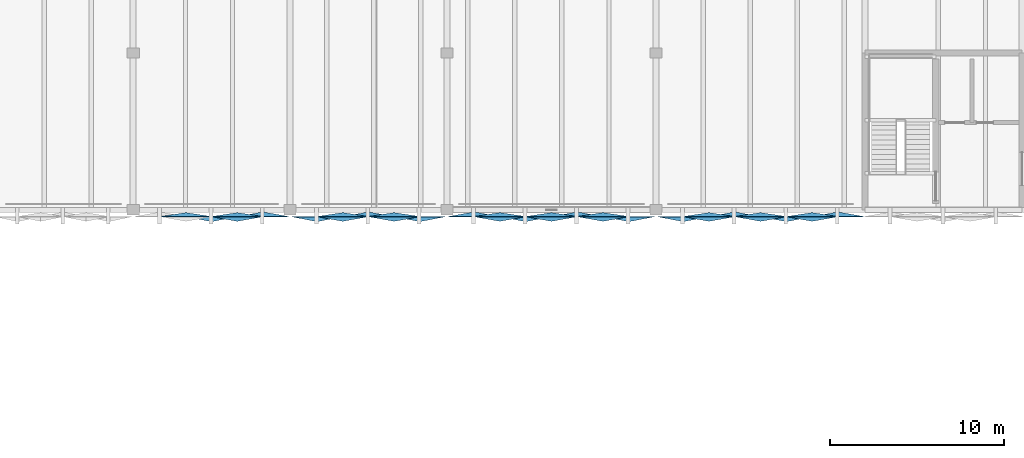
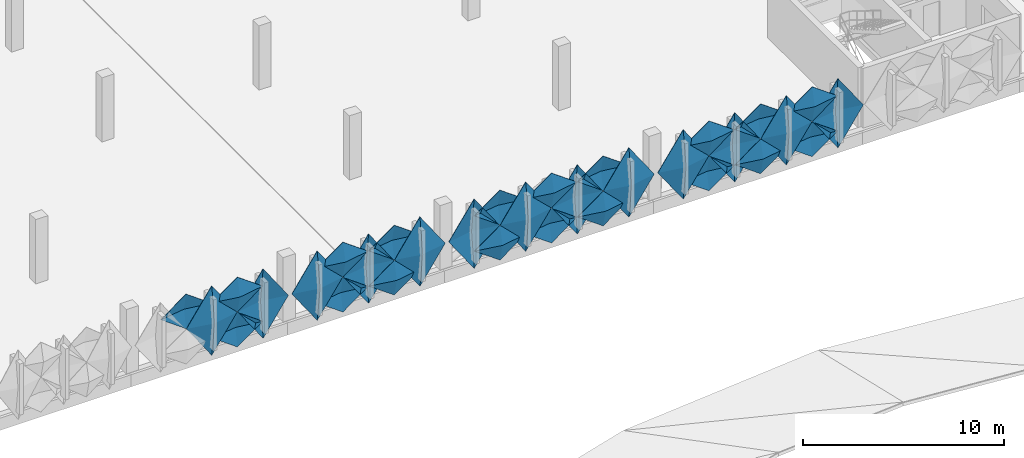
# One storey, part 40 of 52: 32 plates.
"""IFC4 building model written with IfcOpenShell, lengths in metres."""

from ifc_helpers import new_model, si_unit, derived_unit, direction, frame, origin, place, context, subcontext, project, spatial, polygons, material, layer, layer_set, type_object, element, save


model = new_model("IFC4")

# Units and contexts
model_context = context("Model", 3, precision=1e-05, world=origin(), true_north=direction((0.0, 1.0)))
body_context = subcontext(model_context, "Body", "Model", "MODEL_VIEW")
ifc_project = project(units=[si_unit("LENGTHUNIT", "METRE"), si_unit("AREAUNIT", "SQUARE_METRE"), si_unit("VOLUMEUNIT", "CUBIC_METRE"), si_unit("PLANEANGLEUNIT", "RADIAN"), si_unit("MASSUNIT", "GRAM", prefix="KILO"), si_unit("THERMODYNAMICTEMPERATUREUNIT", "KELVIN"), derived_unit("THERMALTRANSMITTANCEUNIT", [(si_unit("POWERUNIT", "WATT"), 1), (si_unit("AREAUNIT", "SQUARE_METRE"), -1), (si_unit("THERMODYNAMICTEMPERATUREUNIT", "KELVIN"), -1)])], contexts=[model_context])

# Site, building, storey
site_placement = place(None, origin())
site = spatial("IfcSite", under=ifc_project, at=site_placement, CompositionType="ELEMENT")
building_placement = place(site_placement, origin())
building = spatial("IfcBuilding", under=site, at=building_placement, Name="Haiyu Intermodal Mobility Hub", CompositionType="ELEMENT")
storey_placement = place(building_placement, frame((0.0, 0.0, 21.199951171875)))
storey = spatial("IfcBuildingStorey", under=building, at=storey_placement, Name="L05", CompositionType="ELEMENT", Elevation=21.199951171875)

# Plates
ifc_material = material(Name="Anodised aluminium 6063-T6", Category="aluminium")
ifc_layer_1 = layer(ifc_material, 0.01806640625)
ifc_layer_set_1 = layer_set([ifc_layer_1], Name="Anodised aluminium 6063-T6")
plate_type_1 = type_object("IfcPlateType", Name="PLT-FC01", PredefinedType="USERDEFINED", material=ifc_layer_set_1)
plate_1_placement = place(storey_placement, origin())
element("IfcPlate", 1, at=plate_1_placement, inside=storey, type_object=plate_type_1, Name="PLT-PYR-0894", ObjectType="FACADE CASSETTE", PredefinedType="USERDEFINED", context=body_context, shape_type="Tessellation", body=[
    polygons([(106.43994140625, 103.60009765625, -0.510009765625), (107.89990234375, 103.60009765625, 1.60009765625), (106.43994140625, 103.60009765625, 3.7099609375), (104.97998046875, 103.60009765625, 1.60009765625), (106.43994140625, 103.320068359375, 1.60009765625), (106.43994140625, 103.6220703125, -0.510009765625), (107.89990234375, 103.6220703125, 1.60009765625), (106.43994140625, 103.6220703125, 3.7099609375), (104.97998046875, 103.6220703125, 1.60009765625), (106.43994140625, 103.342041015625, 1.60009765625)], [[[1, 2, 5]], [[2, 3, 5]], [[3, 4, 5]], [[4, 1, 5]], [[7, 6, 10]], [[8, 7, 10]], [[9, 8, 10]], [[6, 9, 10]], [[1, 6, 7, 2]], [[2, 7, 8, 3]], [[3, 8, 9, 4]], [[4, 9, 6, 1]]], closed=True),
])
ifc_layer_2 = layer(ifc_material, 0.02001953125)
ifc_layer_set_2 = layer_set([ifc_layer_2], Name="Anodised aluminium 6063-T6")
plate_type_2 = type_object("IfcPlateType", Name="PLT-FC02", PredefinedType="USERDEFINED", material=ifc_layer_set_2)
plate_2_placement = place(storey_placement, origin())
element("IfcPlate", 2, at=plate_2_placement, inside=storey, type_object=plate_type_2, Name="PLT-PYR-0944", ObjectType="FACADE CASSETTE", PredefinedType="USERDEFINED", context=body_context, shape_type="Tessellation", body=[
    polygons([(118.43994140625, 103.60009765625, -0.510009765625), (119.89990234375, 103.60009765625, 1.60009765625), (118.43994140625, 103.60009765625, 3.7099609375), (116.97998046875, 103.60009765625, 1.60009765625), (118.43994140625, 103.860107421875, 1.60009765625), (118.43994140625, 103.6220703125, -0.510009765625), (119.89990234375, 103.6220703125, 1.60009765625), (118.43994140625, 103.6220703125, 3.7099609375), (116.97998046875, 103.6220703125, 1.60009765625), (118.43994140625, 103.882080078125, 1.60009765625)], [[[1, 2, 5]], [[2, 3, 5]], [[3, 4, 5]], [[4, 1, 5]], [[7, 6, 10]], [[8, 7, 10]], [[9, 8, 10]], [[6, 9, 10]], [[1, 6, 7, 2]], [[2, 7, 8, 3]], [[3, 8, 9, 4]], [[4, 9, 6, 1]]], closed=True),
])
ifc_layer_3 = layer(ifc_material, 0.01806640625)
ifc_layer_set_3 = layer_set([ifc_layer_3], Name="Anodised aluminium 6063-T6")
plate_type_3 = type_object("IfcPlateType", Name="PLT-FC03", PredefinedType="USERDEFINED", material=ifc_layer_set_3)
plate_3_placement = place(storey_placement, origin())
element("IfcPlate", 3, at=plate_3_placement, inside=storey, type_object=plate_type_3, Name="PLT-PYR-0838", ObjectType="FACADE CASSETTE", PredefinedType="USERDEFINED", context=body_context, shape_type="Tessellation", body=[
    polygons([(88.552978515625, 103.60009765625, -0.510009765625), (90.007080078125, 103.60009765625, 1.60009765625), (88.552978515625, 103.60009765625, 3.7099609375), (87.10009765625, 103.60009765625, 1.60009765625), (88.552978515625, 103.320068359375, 1.60009765625), (88.552978515625, 103.6220703125, -0.510009765625), (90.007080078125, 103.6220703125, 1.60009765625), (88.552978515625, 103.6220703125, 3.7099609375), (87.10009765625, 103.6220703125, 1.60009765625), (88.552978515625, 103.342041015625, 1.60009765625)], [[[1, 2, 5]], [[2, 3, 5]], [[3, 4, 5]], [[4, 1, 5]], [[7, 6, 10]], [[8, 7, 10]], [[9, 8, 10]], [[6, 9, 10]], [[1, 6, 7, 2]], [[2, 7, 8, 3]], [[3, 8, 9, 4]], [[4, 9, 6, 1]]], closed=True),
])
plate_4_placement = place(storey_placement, origin())
element("IfcPlate", 4, at=plate_4_placement, inside=storey, type_object=plate_type_3, Name="PLT-PYR-0842", ObjectType="FACADE CASSETTE", PredefinedType="USERDEFINED", context=body_context, shape_type="Tessellation", body=[
    polygons([(92.972900390625, 103.60009765625, -0.52001953125), (94.427001953125, 103.60009765625, 0.530029296875), (92.972900390625, 103.60009765625, 1.580078125), (91.52001953125, 103.60009765625, 0.530029296875), (92.972900390625, 103.340087890625, 0.530029296875), (92.972900390625, 103.6220703125, -0.52001953125), (94.427001953125, 103.6220703125, 0.530029296875), (92.972900390625, 103.6220703125, 1.580078125), (91.52001953125, 103.6220703125, 0.530029296875), (92.972900390625, 103.362060546875, 0.530029296875)], [[[1, 2, 5]], [[2, 3, 5]], [[3, 4, 5]], [[4, 1, 5]], [[7, 6, 10]], [[8, 7, 10]], [[9, 8, 10]], [[6, 9, 10]], [[1, 6, 7, 2]], [[2, 7, 8, 3]], [[3, 8, 9, 4]], [[4, 9, 6, 1]]], closed=True),
])
plate_5_placement = place(storey_placement, origin())
element("IfcPlate", 5, at=plate_5_placement, inside=storey, type_object=plate_type_3, Name="PLT-PYR-0886", ObjectType="FACADE CASSETTE", PredefinedType="USERDEFINED", context=body_context, shape_type="Tessellation", body=[
    polygons([(99.0400390625, 103.60009765625, -0.52001953125), (100.5, 103.60009765625, 0.530029296875), (99.0400390625, 103.60009765625, 1.580078125), (97.580078125, 103.60009765625, 0.530029296875), (99.0400390625, 103.340087890625, 0.530029296875), (99.0400390625, 103.6220703125, -0.52001953125), (100.5, 103.6220703125, 0.530029296875), (99.0400390625, 103.6220703125, 1.580078125), (97.580078125, 103.6220703125, 0.530029296875), (99.0400390625, 103.362060546875, 0.530029296875)], [[[1, 2, 5]], [[2, 3, 5]], [[3, 4, 5]], [[4, 1, 5]], [[7, 6, 10]], [[8, 7, 10]], [[9, 8, 10]], [[6, 9, 10]], [[1, 6, 7, 2]], [[2, 7, 8, 3]], [[3, 8, 9, 4]], [[4, 9, 6, 1]]], closed=True),
])
plate_6_placement = place(storey_placement, origin())
element("IfcPlate", 6, at=plate_6_placement, inside=storey, type_object=plate_type_3, Name="PLT-PYR-0892", ObjectType="FACADE CASSETTE", PredefinedType="USERDEFINED", context=body_context, shape_type="Tessellation", body=[
    polygons([(104.9599609375, 103.60009765625, -0.52001953125), (106.419921875, 103.60009765625, 0.530029296875), (104.9599609375, 103.60009765625, 1.580078125), (103.5, 103.60009765625, 0.530029296875), (104.9599609375, 103.340087890625, 0.530029296875), (104.9599609375, 103.6220703125, -0.52001953125), (106.419921875, 103.6220703125, 0.530029296875), (104.9599609375, 103.6220703125, 1.580078125), (103.5, 103.6220703125, 0.530029296875), (104.9599609375, 103.362060546875, 0.530029296875)], [[[1, 2, 5]], [[2, 3, 5]], [[3, 4, 5]], [[4, 1, 5]], [[7, 6, 10]], [[8, 7, 10]], [[9, 8, 10]], [[6, 9, 10]], [[1, 6, 7, 2]], [[2, 7, 8, 3]], [[3, 8, 9, 4]], [[4, 9, 6, 1]]], closed=True),
])
plate_7_placement = place(storey_placement, origin())
element("IfcPlate", 7, at=plate_7_placement, inside=storey, type_object=plate_type_3, Name="PLT-PYR-0935", ObjectType="FACADE CASSETTE", PredefinedType="USERDEFINED", context=body_context, shape_type="Tessellation", body=[
    polygons([(109.56005859375, 103.60009765625, -0.510009765625), (111.02001953125, 103.60009765625, 1.60009765625), (109.56005859375, 103.60009765625, 3.7099609375), (108.10009765625, 103.60009765625, 1.60009765625), (109.56005859375, 103.320068359375, 1.60009765625), (109.56005859375, 103.6220703125, -0.510009765625), (111.02001953125, 103.6220703125, 1.60009765625), (109.56005859375, 103.6220703125, 3.7099609375), (108.10009765625, 103.6220703125, 1.60009765625), (109.56005859375, 103.342041015625, 1.60009765625)], [[[1, 2, 5]], [[2, 3, 5]], [[3, 4, 5]], [[4, 1, 5]], [[7, 6, 10]], [[8, 7, 10]], [[9, 8, 10]], [[6, 9, 10]], [[1, 6, 7, 2]], [[2, 7, 8, 3]], [[3, 8, 9, 4]], [[4, 9, 6, 1]]], closed=True),
])
plate_8_placement = place(storey_placement, origin())
element("IfcPlate", 8, at=plate_8_placement, inside=storey, type_object=plate_type_3, Name="PLT-PYR-0939", ObjectType="FACADE CASSETTE", PredefinedType="USERDEFINED", context=body_context, shape_type="Tessellation", body=[
    polygons([(114.0, 103.60009765625, -0.52001953125), (115.4599609375, 103.60009765625, 0.530029296875), (114.0, 103.60009765625, 1.580078125), (112.5400390625, 103.60009765625, 0.530029296875), (114.0, 103.340087890625, 0.530029296875), (114.0, 103.6220703125, -0.52001953125), (115.4599609375, 103.6220703125, 0.530029296875), (114.0, 103.6220703125, 1.580078125), (112.5400390625, 103.6220703125, 0.530029296875), (114.0, 103.362060546875, 0.530029296875)], [[[1, 2, 5]], [[2, 3, 5]], [[3, 4, 5]], [[4, 1, 5]], [[7, 6, 10]], [[8, 7, 10]], [[9, 8, 10]], [[6, 9, 10]], [[1, 6, 7, 2]], [[2, 7, 8, 3]], [[3, 8, 9, 4]], [[4, 9, 6, 1]]], closed=True),
])
ifc_layer_4 = layer(ifc_material, 0.02001953125)
ifc_layer_set_4 = layer_set([ifc_layer_4], Name="Anodised aluminium 6063-T6")
plate_type_4 = type_object("IfcPlateType", Name="PLT-FC04", PredefinedType="USERDEFINED", material=ifc_layer_set_4)
plate_9_placement = place(storey_placement, origin())
element("IfcPlate", 9, at=plate_9_placement, inside=storey, type_object=plate_type_4, Name="PLT-PYR-0814", ObjectType="FACADE CASSETTE", PredefinedType="USERDEFINED", context=body_context, shape_type="Tessellation", body=[
    polygons([(83.972900390625, 103.60009765625, -0.52001953125), (85.427001953125, 103.60009765625, 0.530029296875), (83.972900390625, 103.60009765625, 1.580078125), (82.52001953125, 103.60009765625, 0.530029296875), (83.972900390625, 103.820068359375, 0.530029296875), (83.972900390625, 103.6220703125, -0.52001953125), (85.427001953125, 103.6220703125, 0.530029296875), (83.972900390625, 103.6220703125, 1.580078125), (82.52001953125, 103.6220703125, 0.530029296875), (83.972900390625, 103.842041015625, 0.530029296875)], [[[1, 2, 5]], [[2, 3, 5]], [[3, 4, 5]], [[4, 1, 5]], [[7, 6, 10]], [[8, 7, 10]], [[9, 8, 10]], [[6, 9, 10]], [[1, 6, 7, 2]], [[2, 7, 8, 3]], [[3, 8, 9, 4]], [[4, 9, 6, 1]]], closed=True),
])
plate_10_placement = place(storey_placement, origin())
element("IfcPlate", 10, at=plate_10_placement, inside=storey, type_object=plate_type_4, Name="PLT-PYR-0839", ObjectType="FACADE CASSETTE", PredefinedType="USERDEFINED", context=body_context, shape_type="Tessellation", body=[
    polygons([(90.027099609375, 103.60009765625, -0.52001953125), (91.47998046875, 103.60009765625, 0.530029296875), (90.027099609375, 103.60009765625, 1.580078125), (88.572998046875, 103.60009765625, 0.530029296875), (90.027099609375, 103.820068359375, 0.530029296875), (90.027099609375, 103.6220703125, -0.52001953125), (91.47998046875, 103.6220703125, 0.530029296875), (90.027099609375, 103.6220703125, 1.580078125), (88.572998046875, 103.6220703125, 0.530029296875), (90.027099609375, 103.842041015625, 0.530029296875)], [[[1, 2, 5]], [[2, 3, 5]], [[3, 4, 5]], [[4, 1, 5]], [[7, 6, 10]], [[8, 7, 10]], [[9, 8, 10]], [[6, 9, 10]], [[1, 6, 7, 2]], [[2, 7, 8, 3]], [[3, 8, 9, 4]], [[4, 9, 6, 1]]], closed=True),
])
plate_11_placement = place(storey_placement, origin())
element("IfcPlate", 11, at=plate_11_placement, inside=storey, type_object=plate_type_4, Name="PLT-PYR-0885", ObjectType="FACADE CASSETTE", PredefinedType="USERDEFINED", context=body_context, shape_type="Tessellation", body=[
    polygons([(97.56005859375, 103.60009765625, -0.510009765625), (99.02001953125, 103.60009765625, 1.60009765625), (97.56005859375, 103.60009765625, 3.7099609375), (96.10009765625, 103.60009765625, 1.60009765625), (97.56005859375, 103.860107421875, 1.60009765625), (97.56005859375, 103.6220703125, -0.510009765625), (99.02001953125, 103.6220703125, 1.60009765625), (97.56005859375, 103.6220703125, 3.7099609375), (96.10009765625, 103.6220703125, 1.60009765625), (97.56005859375, 103.882080078125, 1.60009765625)], [[[1, 2, 5]], [[2, 3, 5]], [[3, 4, 5]], [[4, 1, 5]], [[7, 6, 10]], [[8, 7, 10]], [[9, 8, 10]], [[6, 9, 10]], [[1, 6, 7, 2]], [[2, 7, 8, 3]], [[3, 8, 9, 4]], [[4, 9, 6, 1]]], closed=True),
])
plate_12_placement = place(storey_placement, origin())
element("IfcPlate", 12, at=plate_12_placement, inside=storey, type_object=plate_type_4, Name="PLT-PYR-0889", ObjectType="FACADE CASSETTE", PredefinedType="USERDEFINED", context=body_context, shape_type="Tessellation", body=[
    polygons([(102.0, 103.60009765625, -0.52001953125), (103.4599609375, 103.60009765625, 0.530029296875), (102.0, 103.60009765625, 1.580078125), (100.5400390625, 103.60009765625, 0.530029296875), (102.0, 103.820068359375, 0.530029296875), (102.0, 103.6220703125, -0.52001953125), (103.4599609375, 103.6220703125, 0.530029296875), (102.0, 103.6220703125, 1.580078125), (100.5400390625, 103.6220703125, 0.530029296875), (102.0, 103.842041015625, 0.530029296875)], [[[1, 2, 5]], [[2, 3, 5]], [[3, 4, 5]], [[4, 1, 5]], [[7, 6, 10]], [[8, 7, 10]], [[9, 8, 10]], [[6, 9, 10]], [[1, 6, 7, 2]], [[2, 7, 8, 3]], [[3, 8, 9, 4]], [[4, 9, 6, 1]]], closed=True),
])
plate_13_placement = place(storey_placement, origin())
element("IfcPlate", 13, at=plate_13_placement, inside=storey, type_object=plate_type_4, Name="PLT-PYR-0936", ObjectType="FACADE CASSETTE", PredefinedType="USERDEFINED", context=body_context, shape_type="Tessellation", body=[
    polygons([(111.0400390625, 103.60009765625, -0.52001953125), (112.5, 103.60009765625, 0.530029296875), (111.0400390625, 103.60009765625, 1.580078125), (109.580078125, 103.60009765625, 0.530029296875), (111.0400390625, 103.820068359375, 0.530029296875), (111.0400390625, 103.6220703125, -0.52001953125), (112.5, 103.6220703125, 0.530029296875), (111.0400390625, 103.6220703125, 1.580078125), (109.580078125, 103.6220703125, 0.530029296875), (111.0400390625, 103.842041015625, 0.530029296875)], [[[1, 2, 5]], [[2, 3, 5]], [[3, 4, 5]], [[4, 1, 5]], [[7, 6, 10]], [[8, 7, 10]], [[9, 8, 10]], [[6, 9, 10]], [[1, 6, 7, 2]], [[2, 7, 8, 3]], [[3, 8, 9, 4]], [[4, 9, 6, 1]]], closed=True),
])
plate_14_placement = place(storey_placement, origin())
element("IfcPlate", 14, at=plate_14_placement, inside=storey, type_object=plate_type_4, Name="PLT-PYR-0942", ObjectType="FACADE CASSETTE", PredefinedType="USERDEFINED", context=body_context, shape_type="Tessellation", body=[
    polygons([(116.9599609375, 103.60009765625, -0.52001953125), (118.419921875, 103.60009765625, 0.530029296875), (116.9599609375, 103.60009765625, 1.580078125), (115.5, 103.60009765625, 0.530029296875), (116.9599609375, 103.820068359375, 0.530029296875), (116.9599609375, 103.6220703125, -0.52001953125), (118.419921875, 103.6220703125, 0.530029296875), (116.9599609375, 103.6220703125, 1.580078125), (115.5, 103.6220703125, 0.530029296875), (116.9599609375, 103.842041015625, 0.530029296875)], [[[1, 2, 5]], [[2, 3, 5]], [[3, 4, 5]], [[4, 1, 5]], [[7, 6, 10]], [[8, 7, 10]], [[9, 8, 10]], [[6, 9, 10]], [[1, 6, 7, 2]], [[2, 7, 8, 3]], [[3, 8, 9, 4]], [[4, 9, 6, 1]]], closed=True),
])
ifc_layer_5 = layer(ifc_material, 0.01806640625)
ifc_layer_set_5 = layer_set([ifc_layer_5], Name="Anodised aluminium 6063-T6")
plate_type_5 = type_object("IfcPlateType", Name="PLT-FC05", PredefinedType="USERDEFINED", material=ifc_layer_set_5)
plate_15_placement = place(storey_placement, origin())
element("IfcPlate", 15, at=plate_15_placement, inside=storey, type_object=plate_type_5, Name="PLT-PYR-0813", ObjectType="FACADE CASSETTE", PredefinedType="USERDEFINED", context=body_context, shape_type="Tessellation", body=[
    polygons([(82.5, 103.60009765625, -0.510009765625), (83.952880859375, 103.60009765625, 1.60009765625), (82.5, 103.60009765625, 3.7099609375), (81.047119140625, 103.60009765625, 1.60009765625), (82.5, 103.320068359375, 1.60009765625), (82.5, 103.6220703125, -0.510009765625), (83.952880859375, 103.6220703125, 1.60009765625), (82.5, 103.6220703125, 3.7099609375), (81.047119140625, 103.6220703125, 1.60009765625), (82.5, 103.342041015625, 1.60009765625)], [[[1, 2, 5]], [[2, 3, 5]], [[3, 4, 5]], [[4, 1, 5]], [[7, 6, 10]], [[8, 7, 10]], [[9, 8, 10]], [[6, 9, 10]], [[1, 6, 7, 2]], [[2, 7, 8, 3]], [[3, 8, 9, 4]], [[4, 9, 6, 1]]], closed=True),
])
plate_16_placement = place(storey_placement, origin())
element("IfcPlate", 16, at=plate_16_placement, inside=storey, type_object=plate_type_5, Name="PLT-PYR-0815", ObjectType="FACADE CASSETTE", PredefinedType="USERDEFINED", context=body_context, shape_type="Tessellation", body=[
    polygons([(83.972900390625, 103.60009765625, 1.6201171875), (85.427001953125, 103.60009765625, 2.670166015625), (83.972900390625, 103.60009765625, 3.719970703125), (82.52001953125, 103.60009765625, 2.670166015625), (83.972900390625, 103.340087890625, 2.670166015625), (83.972900390625, 103.6220703125, 1.6201171875), (85.427001953125, 103.6220703125, 2.670166015625), (83.972900390625, 103.6220703125, 3.719970703125), (82.52001953125, 103.6220703125, 2.670166015625), (83.972900390625, 103.362060546875, 2.670166015625)], [[[1, 2, 5]], [[2, 3, 5]], [[3, 4, 5]], [[4, 1, 5]], [[7, 6, 10]], [[8, 7, 10]], [[9, 8, 10]], [[6, 9, 10]], [[1, 6, 7, 2]], [[2, 7, 8, 3]], [[3, 8, 9, 4]], [[4, 9, 6, 1]]], closed=True),
])
plate_17_placement = place(storey_placement, origin())
element("IfcPlate", 17, at=plate_17_placement, inside=storey, type_object=plate_type_5, Name="PLT-PYR-0840", ObjectType="FACADE CASSETTE", PredefinedType="USERDEFINED", context=body_context, shape_type="Tessellation", body=[
    polygons([(90.027099609375, 103.60009765625, 1.6201171875), (91.47998046875, 103.60009765625, 2.670166015625), (90.027099609375, 103.60009765625, 3.719970703125), (88.572998046875, 103.60009765625, 2.670166015625), (90.027099609375, 103.340087890625, 2.670166015625), (90.027099609375, 103.6220703125, 1.6201171875), (91.47998046875, 103.6220703125, 2.670166015625), (90.027099609375, 103.6220703125, 3.719970703125), (88.572998046875, 103.6220703125, 2.670166015625), (90.027099609375, 103.362060546875, 2.670166015625)], [[[1, 2, 5]], [[2, 3, 5]], [[3, 4, 5]], [[4, 1, 5]], [[7, 6, 10]], [[8, 7, 10]], [[9, 8, 10]], [[6, 9, 10]], [[1, 6, 7, 2]], [[2, 7, 8, 3]], [[3, 8, 9, 4]], [[4, 9, 6, 1]]], closed=True),
])
plate_18_placement = place(storey_placement, origin())
element("IfcPlate", 18, at=plate_18_placement, inside=storey, type_object=plate_type_5, Name="PLT-PYR-0888", ObjectType="FACADE CASSETTE", PredefinedType="USERDEFINED", context=body_context, shape_type="Tessellation", body=[
    polygons([(100.52001953125, 103.60009765625, -0.510009765625), (101.97998046875, 103.60009765625, 1.60009765625), (100.52001953125, 103.60009765625, 3.7099609375), (99.06005859375, 103.60009765625, 1.60009765625), (100.52001953125, 103.320068359375, 1.60009765625), (100.52001953125, 103.6220703125, -0.510009765625), (101.97998046875, 103.6220703125, 1.60009765625), (100.52001953125, 103.6220703125, 3.7099609375), (99.06005859375, 103.6220703125, 1.60009765625), (100.52001953125, 103.342041015625, 1.60009765625)], [[[1, 2, 5]], [[2, 3, 5]], [[3, 4, 5]], [[4, 1, 5]], [[7, 6, 10]], [[8, 7, 10]], [[9, 8, 10]], [[6, 9, 10]], [[1, 6, 7, 2]], [[2, 7, 8, 3]], [[3, 8, 9, 4]], [[4, 9, 6, 1]]], closed=True),
])
plate_19_placement = place(storey_placement, origin())
element("IfcPlate", 19, at=plate_19_placement, inside=storey, type_object=plate_type_5, Name="PLT-PYR-0890", ObjectType="FACADE CASSETTE", PredefinedType="USERDEFINED", context=body_context, shape_type="Tessellation", body=[
    polygons([(102.0, 103.60009765625, 1.6201171875), (103.4599609375, 103.60009765625, 2.670166015625), (102.0, 103.60009765625, 3.719970703125), (100.5400390625, 103.60009765625, 2.670166015625), (102.0, 103.340087890625, 2.670166015625), (102.0, 103.6220703125, 1.6201171875), (103.4599609375, 103.6220703125, 2.670166015625), (102.0, 103.6220703125, 3.719970703125), (100.5400390625, 103.6220703125, 2.670166015625), (102.0, 103.362060546875, 2.670166015625)], [[[1, 2, 5]], [[2, 3, 5]], [[3, 4, 5]], [[4, 1, 5]], [[7, 6, 10]], [[8, 7, 10]], [[9, 8, 10]], [[6, 9, 10]], [[1, 6, 7, 2]], [[2, 7, 8, 3]], [[3, 8, 9, 4]], [[4, 9, 6, 1]]], closed=True),
])
plate_20_placement = place(storey_placement, origin())
element("IfcPlate", 20, at=plate_20_placement, inside=storey, type_object=plate_type_5, Name="PLT-PYR-0937", ObjectType="FACADE CASSETTE", PredefinedType="USERDEFINED", context=body_context, shape_type="Tessellation", body=[
    polygons([(111.0400390625, 103.60009765625, 1.6201171875), (112.5, 103.60009765625, 2.670166015625), (111.0400390625, 103.60009765625, 3.719970703125), (109.580078125, 103.60009765625, 2.670166015625), (111.0400390625, 103.340087890625, 2.670166015625), (111.0400390625, 103.6220703125, 1.6201171875), (112.5, 103.6220703125, 2.670166015625), (111.0400390625, 103.6220703125, 3.719970703125), (109.580078125, 103.6220703125, 2.670166015625), (111.0400390625, 103.362060546875, 2.670166015625)], [[[1, 2, 5]], [[2, 3, 5]], [[3, 4, 5]], [[4, 1, 5]], [[7, 6, 10]], [[8, 7, 10]], [[9, 8, 10]], [[6, 9, 10]], [[1, 6, 7, 2]], [[2, 7, 8, 3]], [[3, 8, 9, 4]], [[4, 9, 6, 1]]], closed=True),
])
plate_21_placement = place(storey_placement, origin())
element("IfcPlate", 21, at=plate_21_placement, inside=storey, type_object=plate_type_5, Name="PLT-PYR-0943", ObjectType="FACADE CASSETTE", PredefinedType="USERDEFINED", context=body_context, shape_type="Tessellation", body=[
    polygons([(116.9599609375, 103.60009765625, 1.6201171875), (118.419921875, 103.60009765625, 2.670166015625), (116.9599609375, 103.60009765625, 3.719970703125), (115.5, 103.60009765625, 2.670166015625), (116.9599609375, 103.340087890625, 2.670166015625), (116.9599609375, 103.6220703125, 1.6201171875), (118.419921875, 103.6220703125, 2.670166015625), (116.9599609375, 103.6220703125, 3.719970703125), (115.5, 103.6220703125, 2.670166015625), (116.9599609375, 103.362060546875, 2.670166015625)], [[[1, 2, 5]], [[2, 3, 5]], [[3, 4, 5]], [[4, 1, 5]], [[7, 6, 10]], [[8, 7, 10]], [[9, 8, 10]], [[6, 9, 10]], [[1, 6, 7, 2]], [[2, 7, 8, 3]], [[3, 8, 9, 4]], [[4, 9, 6, 1]]], closed=True),
])
ifc_layer_6 = layer(ifc_material, 0.02001953125)
ifc_layer_set_6 = layer_set([ifc_layer_6], Name="Anodised aluminium 6063-T6")
plate_type_6 = type_object("IfcPlateType", Name="PLT-FC06", PredefinedType="USERDEFINED", material=ifc_layer_set_6)
plate_22_placement = place(storey_placement, origin())
element("IfcPlate", 22, at=plate_22_placement, inside=storey, type_object=plate_type_6, Name="PLT-PYR-0812", ObjectType="FACADE CASSETTE", PredefinedType="USERDEFINED", context=body_context, shape_type="Tessellation", body=[
    polygons([(81.027099609375, 103.60009765625, 1.6201171875), (82.47998046875, 103.60009765625, 2.670166015625), (81.027099609375, 103.60009765625, 3.719970703125), (79.572998046875, 103.60009765625, 2.670166015625), (81.027099609375, 103.820068359375, 2.670166015625), (81.027099609375, 103.6220703125, 1.6201171875), (82.47998046875, 103.6220703125, 2.670166015625), (81.027099609375, 103.6220703125, 3.719970703125), (79.572998046875, 103.6220703125, 2.670166015625), (81.027099609375, 103.842041015625, 2.670166015625)], [[[1, 2, 5]], [[2, 3, 5]], [[3, 4, 5]], [[4, 1, 5]], [[7, 6, 10]], [[8, 7, 10]], [[9, 8, 10]], [[6, 9, 10]], [[1, 6, 7, 2]], [[2, 7, 8, 3]], [[3, 8, 9, 4]], [[4, 9, 6, 1]]], closed=True),
])
plate_23_placement = place(storey_placement, origin())
element("IfcPlate", 23, at=plate_23_placement, inside=storey, type_object=plate_type_6, Name="PLT-PYR-0841", ObjectType="FACADE CASSETTE", PredefinedType="USERDEFINED", context=body_context, shape_type="Tessellation", body=[
    polygons([(91.5, 103.60009765625, -0.510009765625), (92.952880859375, 103.60009765625, 1.60009765625), (91.5, 103.60009765625, 3.7099609375), (90.047119140625, 103.60009765625, 1.60009765625), (91.5, 103.860107421875, 1.60009765625), (91.5, 103.6220703125, -0.510009765625), (92.952880859375, 103.6220703125, 1.60009765625), (91.5, 103.6220703125, 3.7099609375), (90.047119140625, 103.6220703125, 1.60009765625), (91.5, 103.882080078125, 1.60009765625)], [[[1, 2, 5]], [[2, 3, 5]], [[3, 4, 5]], [[4, 1, 5]], [[7, 6, 10]], [[8, 7, 10]], [[9, 8, 10]], [[6, 9, 10]], [[1, 6, 7, 2]], [[2, 7, 8, 3]], [[3, 8, 9, 4]], [[4, 9, 6, 1]]], closed=True),
])
plate_24_placement = place(storey_placement, origin())
element("IfcPlate", 24, at=plate_24_placement, inside=storey, type_object=plate_type_6, Name="PLT-PYR-0843", ObjectType="FACADE CASSETTE", PredefinedType="USERDEFINED", context=body_context, shape_type="Tessellation", body=[
    polygons([(92.972900390625, 103.60009765625, 1.6201171875), (94.427001953125, 103.60009765625, 2.670166015625), (92.972900390625, 103.60009765625, 3.719970703125), (91.52001953125, 103.60009765625, 2.670166015625), (92.972900390625, 103.820068359375, 2.670166015625), (92.972900390625, 103.6220703125, 1.6201171875), (94.427001953125, 103.6220703125, 2.670166015625), (92.972900390625, 103.6220703125, 3.719970703125), (91.52001953125, 103.6220703125, 2.670166015625), (92.972900390625, 103.842041015625, 2.670166015625)], [[[1, 2, 5]], [[2, 3, 5]], [[3, 4, 5]], [[4, 1, 5]], [[7, 6, 10]], [[8, 7, 10]], [[9, 8, 10]], [[6, 9, 10]], [[1, 6, 7, 2]], [[2, 7, 8, 3]], [[3, 8, 9, 4]], [[4, 9, 6, 1]]], closed=True),
])
plate_25_placement = place(storey_placement, origin())
element("IfcPlate", 25, at=plate_25_placement, inside=storey, type_object=plate_type_6, Name="PLT-PYR-0887", ObjectType="FACADE CASSETTE", PredefinedType="USERDEFINED", context=body_context, shape_type="Tessellation", body=[
    polygons([(99.0400390625, 103.60009765625, 1.6201171875), (100.5, 103.60009765625, 2.670166015625), (99.0400390625, 103.60009765625, 3.719970703125), (97.580078125, 103.60009765625, 2.670166015625), (99.0400390625, 103.820068359375, 2.670166015625), (99.0400390625, 103.6220703125, 1.6201171875), (100.5, 103.6220703125, 2.670166015625), (99.0400390625, 103.6220703125, 3.719970703125), (97.580078125, 103.6220703125, 2.670166015625), (99.0400390625, 103.842041015625, 2.670166015625)], [[[1, 2, 5]], [[2, 3, 5]], [[3, 4, 5]], [[4, 1, 5]], [[7, 6, 10]], [[8, 7, 10]], [[9, 8, 10]], [[6, 9, 10]], [[1, 6, 7, 2]], [[2, 7, 8, 3]], [[3, 8, 9, 4]], [[4, 9, 6, 1]]], closed=True),
])
plate_26_placement = place(storey_placement, origin())
element("IfcPlate", 26, at=plate_26_placement, inside=storey, type_object=plate_type_6, Name="PLT-PYR-0893", ObjectType="FACADE CASSETTE", PredefinedType="USERDEFINED", context=body_context, shape_type="Tessellation", body=[
    polygons([(104.9599609375, 103.60009765625, 1.6201171875), (106.419921875, 103.60009765625, 2.670166015625), (104.9599609375, 103.60009765625, 3.719970703125), (103.5, 103.60009765625, 2.670166015625), (104.9599609375, 103.820068359375, 2.670166015625), (104.9599609375, 103.6220703125, 1.6201171875), (106.419921875, 103.6220703125, 2.670166015625), (104.9599609375, 103.6220703125, 3.719970703125), (103.5, 103.6220703125, 2.670166015625), (104.9599609375, 103.842041015625, 2.670166015625)], [[[1, 2, 5]], [[2, 3, 5]], [[3, 4, 5]], [[4, 1, 5]], [[7, 6, 10]], [[8, 7, 10]], [[9, 8, 10]], [[6, 9, 10]], [[1, 6, 7, 2]], [[2, 7, 8, 3]], [[3, 8, 9, 4]], [[4, 9, 6, 1]]], closed=True),
])
plate_27_placement = place(storey_placement, origin())
element("IfcPlate", 27, at=plate_27_placement, inside=storey, type_object=plate_type_6, Name="PLT-PYR-0938", ObjectType="FACADE CASSETTE", PredefinedType="USERDEFINED", context=body_context, shape_type="Tessellation", body=[
    polygons([(112.52001953125, 103.60009765625, -0.510009765625), (113.97998046875, 103.60009765625, 1.60009765625), (112.52001953125, 103.60009765625, 3.7099609375), (111.06005859375, 103.60009765625, 1.60009765625), (112.52001953125, 103.860107421875, 1.60009765625), (112.52001953125, 103.6220703125, -0.510009765625), (113.97998046875, 103.6220703125, 1.60009765625), (112.52001953125, 103.6220703125, 3.7099609375), (111.06005859375, 103.6220703125, 1.60009765625), (112.52001953125, 103.882080078125, 1.60009765625)], [[[1, 2, 5]], [[2, 3, 5]], [[3, 4, 5]], [[4, 1, 5]], [[7, 6, 10]], [[8, 7, 10]], [[9, 8, 10]], [[6, 9, 10]], [[1, 6, 7, 2]], [[2, 7, 8, 3]], [[3, 8, 9, 4]], [[4, 9, 6, 1]]], closed=True),
])
plate_28_placement = place(storey_placement, origin())
element("IfcPlate", 28, at=plate_28_placement, inside=storey, type_object=plate_type_6, Name="PLT-PYR-0940", ObjectType="FACADE CASSETTE", PredefinedType="USERDEFINED", context=body_context, shape_type="Tessellation", body=[
    polygons([(114.0, 103.60009765625, 1.6201171875), (115.4599609375, 103.60009765625, 2.670166015625), (114.0, 103.60009765625, 3.719970703125), (112.5400390625, 103.60009765625, 2.670166015625), (114.0, 103.820068359375, 2.670166015625), (114.0, 103.6220703125, 1.6201171875), (115.4599609375, 103.6220703125, 2.670166015625), (114.0, 103.6220703125, 3.719970703125), (112.5400390625, 103.6220703125, 2.670166015625), (114.0, 103.842041015625, 2.670166015625)], [[[1, 2, 5]], [[2, 3, 5]], [[3, 4, 5]], [[4, 1, 5]], [[7, 6, 10]], [[8, 7, 10]], [[9, 8, 10]], [[6, 9, 10]], [[1, 6, 7, 2]], [[2, 7, 8, 3]], [[3, 8, 9, 4]], [[4, 9, 6, 1]]], closed=True),
])
ifc_layer_7 = layer(ifc_material, 0.02197265625)
ifc_layer_set_7 = layer_set([ifc_layer_7], Name="Anodised aluminium 6063-T6")
plate_type_7 = type_object("IfcPlateType", Name="PLT-FC07", PredefinedType="USERDEFINED", material=ifc_layer_set_7)
plate_29_placement = place(storey_placement, origin())
element("IfcPlate", 29, at=plate_29_placement, inside=storey, type_object=plate_type_7, Name="PLT-PYR-0844", ObjectType="FACADE CASSETTE", PredefinedType="USERDEFINED", context=body_context, shape_type="Tessellation", body=[
    polygons([(94.447021484375, 103.60009765625, -0.510009765625), (95.89990234375, 103.60009765625, 1.60009765625), (94.447021484375, 103.60009765625, 3.7099609375), (92.992919921875, 103.60009765625, 1.60009765625), (94.447021484375, 103.320068359375, 1.60009765625), (94.447021484375, 103.6220703125, -0.510009765625), (95.89990234375, 103.6220703125, 1.60009765625), (94.447021484375, 103.6220703125, 3.7099609375), (92.992919921875, 103.6220703125, 1.60009765625), (94.447021484375, 103.342041015625, 1.60009765625)], [[[1, 2, 5]], [[2, 3, 5]], [[3, 4, 5]], [[4, 1, 5]], [[7, 6, 10]], [[8, 7, 10]], [[9, 8, 10]], [[6, 9, 10]], [[1, 6, 7, 2]], [[2, 7, 8, 3]], [[3, 8, 9, 4]], [[4, 9, 6, 1]]], closed=True),
])
plate_30_placement = place(storey_placement, origin())
element("IfcPlate", 30, at=plate_30_placement, inside=storey, type_object=plate_type_7, Name="PLT-PYR-0941", ObjectType="FACADE CASSETTE", PredefinedType="USERDEFINED", context=body_context, shape_type="Tessellation", body=[
    polygons([(115.47998046875, 103.60009765625, -0.510009765625), (116.93994140625, 103.60009765625, 1.60009765625), (115.47998046875, 103.60009765625, 3.7099609375), (114.02001953125, 103.60009765625, 1.60009765625), (115.47998046875, 103.320068359375, 1.60009765625), (115.47998046875, 103.6220703125, -0.510009765625), (116.93994140625, 103.6220703125, 1.60009765625), (115.47998046875, 103.6220703125, 3.7099609375), (114.02001953125, 103.6220703125, 1.60009765625), (115.47998046875, 103.342041015625, 1.60009765625)], [[[1, 2, 5]], [[2, 3, 5]], [[3, 4, 5]], [[4, 1, 5]], [[7, 6, 10]], [[8, 7, 10]], [[9, 8, 10]], [[6, 9, 10]], [[1, 6, 7, 2]], [[2, 7, 8, 3]], [[3, 8, 9, 4]], [[4, 9, 6, 1]]], closed=True),
])
ifc_layer_8 = layer(ifc_material, 0.02392578125)
ifc_layer_set_8 = layer_set([ifc_layer_8], Name="Anodised aluminium 6063-T6")
plate_type_8 = type_object("IfcPlateType", Name="PLT-FC08", PredefinedType="USERDEFINED", material=ifc_layer_set_8)
plate_31_placement = place(storey_placement, origin())
element("IfcPlate", 31, at=plate_31_placement, inside=storey, type_object=plate_type_8, Name="PLT-PYR-0816", ObjectType="FACADE CASSETTE", PredefinedType="USERDEFINED", context=body_context, shape_type="Tessellation", body=[
    polygons([(85.447021484375, 103.60009765625, -0.510009765625), (86.89990234375, 103.60009765625, 1.60009765625), (85.447021484375, 103.60009765625, 3.7099609375), (83.992919921875, 103.60009765625, 1.60009765625), (85.447021484375, 103.860107421875, 1.60009765625), (85.447021484375, 103.6220703125, -0.510009765625), (86.89990234375, 103.6220703125, 1.60009765625), (85.447021484375, 103.6220703125, 3.7099609375), (83.992919921875, 103.6220703125, 1.60009765625), (85.447021484375, 103.882080078125, 1.60009765625)], [[[1, 2, 5]], [[2, 3, 5]], [[3, 4, 5]], [[4, 1, 5]], [[7, 6, 10]], [[8, 7, 10]], [[9, 8, 10]], [[6, 9, 10]], [[1, 6, 7, 2]], [[2, 7, 8, 3]], [[3, 8, 9, 4]], [[4, 9, 6, 1]]], closed=True),
])
plate_32_placement = place(storey_placement, origin())
element("IfcPlate", 32, at=plate_32_placement, inside=storey, type_object=plate_type_8, Name="PLT-PYR-0891", ObjectType="FACADE CASSETTE", PredefinedType="USERDEFINED", context=body_context, shape_type="Tessellation", body=[
    polygons([(103.47998046875, 103.60009765625, -0.510009765625), (104.93994140625, 103.60009765625, 1.60009765625), (103.47998046875, 103.60009765625, 3.7099609375), (102.02001953125, 103.60009765625, 1.60009765625), (103.47998046875, 103.860107421875, 1.60009765625), (103.47998046875, 103.6220703125, -0.510009765625), (104.93994140625, 103.6220703125, 1.60009765625), (103.47998046875, 103.6220703125, 3.7099609375), (102.02001953125, 103.6220703125, 1.60009765625), (103.47998046875, 103.882080078125, 1.60009765625)], [[[1, 2, 5]], [[2, 3, 5]], [[3, 4, 5]], [[4, 1, 5]], [[7, 6, 10]], [[8, 7, 10]], [[9, 8, 10]], [[6, 9, 10]], [[1, 6, 7, 2]], [[2, 7, 8, 3]], [[3, 8, 9, 4]], [[4, 9, 6, 1]]], closed=True),
])

save(model, "model.ifc")
